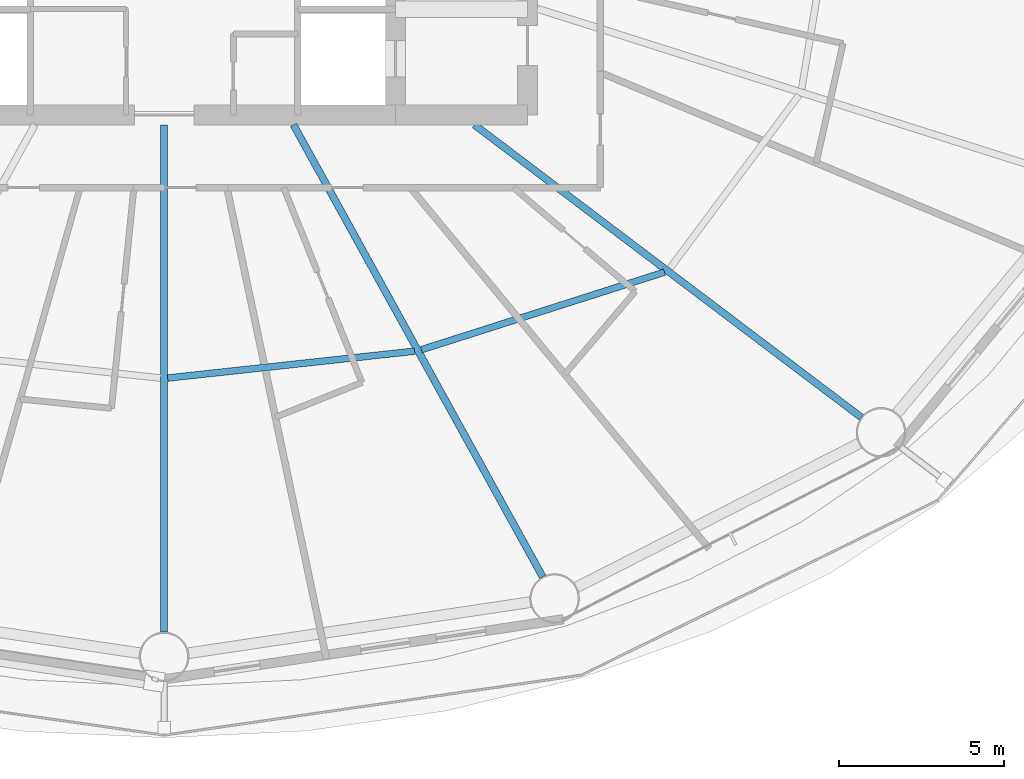
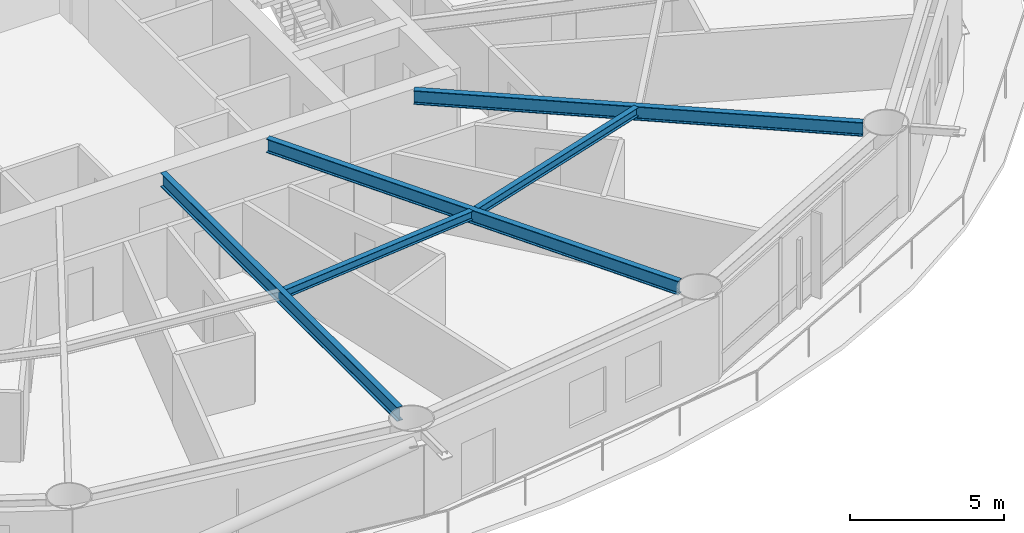
# One storey, part 7 of 28: 5 beams.
"""IFC4 building model written with IfcOpenShell, lengths in metres."""

from ifc_helpers import new_model, si_unit, direction, frame, origin, origin_2d, place, context, subcontext, project, spatial, i_section, extrude, material, material_profile, profile_set, type_object, element, save


model = new_model("IFC4")

# Units and contexts
model_context = context("Model", 3, precision=1e-05, world=origin(), true_north=direction((0.0, 1.0)))
body_context = subcontext(model_context, "Body", "Model", "MODEL_VIEW")
ifc_project = project(units=[si_unit("LENGTHUNIT", "METRE"), si_unit("AREAUNIT", "SQUARE_METRE"), si_unit("VOLUMEUNIT", "CUBIC_METRE"), si_unit("PLANEANGLEUNIT", "RADIAN"), si_unit("MASSUNIT", "GRAM", prefix="KILO")], contexts=[model_context])

# Site, building, storey
site_placement = place(None, origin())
site = spatial("IfcSite", under=ifc_project, at=site_placement, CompositionType="ELEMENT")
building_placement = place(site_placement, origin())
building = spatial("IfcBuilding", under=site, at=building_placement, Name="Sarneth Arch Tower", CompositionType="ELEMENT")
storey_placement = place(building_placement, frame((0.0, 0.0, 31.800048828125)))
storey = spatial("IfcBuildingStorey", under=building, at=storey_placement, Name="L06", CompositionType="ELEMENT", Elevation=31.800048828125)

# Beams
ifc_material_1 = material(Name="Steel S355", Category="steel")
ifc_material_profile_1 = material_profile(ifc_material_1, i_section(OverallWidth=0.202880859375, OverallDepth=0.346923828125, WebThickness=0.0078125, FlangeThickness=0.013427734375, FilletRadius=0.014892578125, at=origin_2d()), Name="W360x64")
ifc_profile_set_1 = profile_set([ifc_material_profile_1], Name="Steel S355")
beam_type_1 = type_object("IfcBeamType", Name="BM-JOIST-360C", PredefinedType="JOIST", material=ifc_profile_set_1)
beam_1_placement = place(storey_placement, frame((48.1064453125, 27.236572265625, 3.20654296875), z_axis=(0.994129966112, 0.108192469602, 0.0), x_axis=(-0.108192469602, 0.994129966112, 0.0)))
element("IfcBeam", 1, at=beam_1_placement, inside=storey, type_object=beam_type_1, Name="L06 Secondary floor joist 13", PredefinedType="JOIST", context=body_context, shape_type="SweptSolid", body=[
    extrude(i_section(OverallWidth=0.202880859375, OverallDepth=0.346923828125, WebThickness=0.0078125, FlangeThickness=0.013427734375, FilletRadius=0.014892578125, at=origin_2d()), origin(), (0.0, 0.0, 1.0), 7.5166015625),
])
beam_2_placement = place(storey_placement, frame((55.787109375, 28.093994140625, 3.20654296875), z_axis=(0.95266836992, 0.304011475036, 0.0), x_axis=(-0.304011475036, 0.95266836992, 0.0)))
element("IfcBeam", 2, at=beam_2_placement, inside=storey, type_object=beam_type_1, Name="L06 Secondary floor joist 14", PredefinedType="JOIST", context=body_context, shape_type="SweptSolid", body=[
    extrude(i_section(OverallWidth=0.202880859375, OverallDepth=0.346923828125, WebThickness=0.0078125, FlangeThickness=0.013427734375, FilletRadius=0.014892578125, at=origin_2d()), origin(), (0.0, 0.0, 1.0), 7.720703125),
])
ifc_material_2 = material(Name="Steel S355", Category="steel")
ifc_material_profile_2 = material_profile(ifc_material_2, i_section(OverallWidth=0.214111328125, OverallDepth=0.549072265625, WebThickness=0.0146484375, FlangeThickness=0.023681640625, FilletRadius=0.01806640625, at=origin_2d()), Name="W530x138")
ifc_profile_set_2 = profile_set([ifc_material_profile_2], Name="Steel S355")
beam_type_2 = type_object("IfcBeamType", Name="BM-RAD-530A", PredefinedType="BEAM", material=ifc_profile_set_2)
beam_3_placement = place(storey_placement, frame((48.0, 34.89990234375, 3.10546875), z_axis=(0.0, -1.0, 0.0), x_axis=(1.0, 0.0, 0.0)))
element("IfcBeam", 3, at=beam_3_placement, inside=storey, type_object=beam_type_2, Name="L06 Radial floor girder 13", PredefinedType="BEAM", context=body_context, shape_type="SweptSolid", body=[
    extrude(i_section(OverallWidth=0.214111328125, OverallDepth=0.549072265625, WebThickness=0.0146484375, FlangeThickness=0.023681640625, FilletRadius=0.01806640625, at=origin_2d()), origin(), (0.0, 0.0, 1.0), 15.349853515625),
])
beam_4_placement = place(storey_placement, frame((51.91455078125, 34.89990234375, 3.10546875), z_axis=(0.482841370957, -0.875707833979, 0.0), x_axis=(0.875707833979, 0.482841370957, 0.0)))
element("IfcBeam", 4, at=beam_4_placement, inside=storey, type_object=beam_type_2, Name="L06 Radial floor girder 14", PredefinedType="BEAM", context=body_context, shape_type="SweptSolid", body=[
    extrude(i_section(OverallWidth=0.214111328125, OverallDepth=0.549072265625, WebThickness=0.0146484375, FlangeThickness=0.023681640625, FilletRadius=0.01806640625, at=origin_2d()), origin(), (0.0, 0.0, 1.0), 15.618408203125),
])
beam_5_placement = place(storey_placement, frame((57.390380859375, 34.89990234375, 3.10546875), z_axis=(0.79765464731, -0.603114469753, 0.0), x_axis=(0.603114469753, 0.79765464731, 0.0)))
element("IfcBeam", 5, at=beam_5_placement, inside=storey, type_object=beam_type_2, Name="L06 Radial floor girder 15", PredefinedType="BEAM", context=body_context, shape_type="SweptSolid", body=[
    extrude(i_section(OverallWidth=0.214111328125, OverallDepth=0.549072265625, WebThickness=0.0146484375, FlangeThickness=0.023681640625, FilletRadius=0.01806640625, at=origin_2d()), origin(), (0.0, 0.0, 1.0), 14.677978515625),
])

save(model, "model.ifc")
